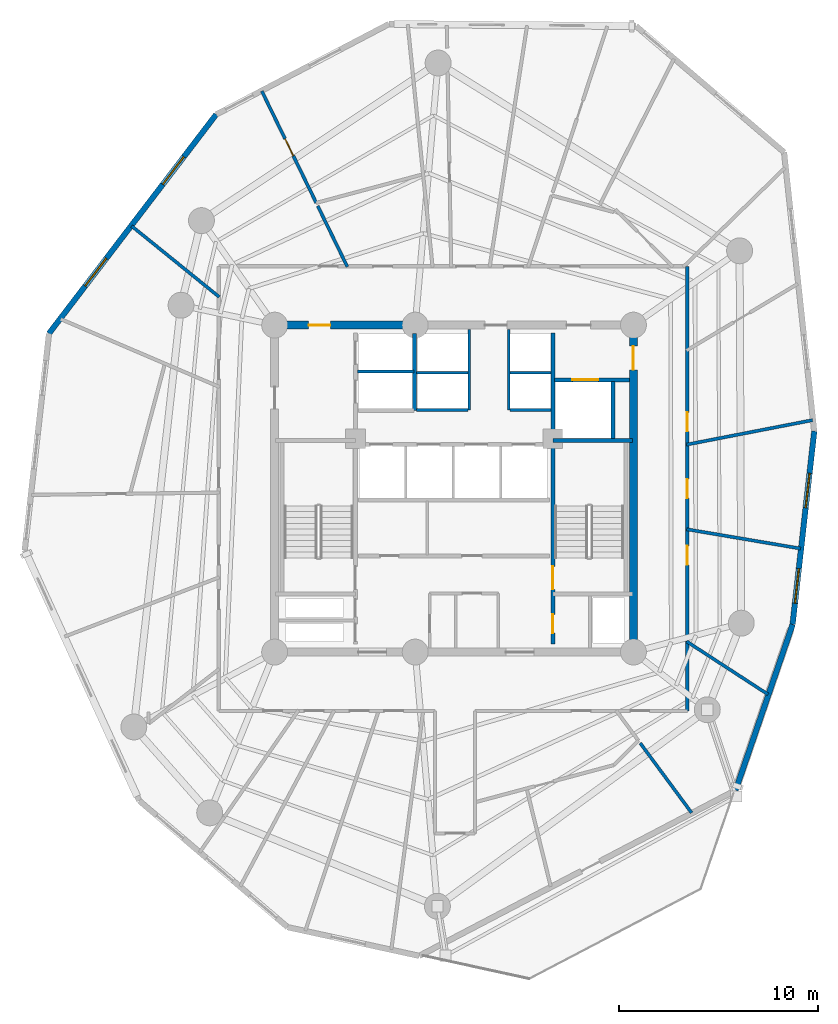
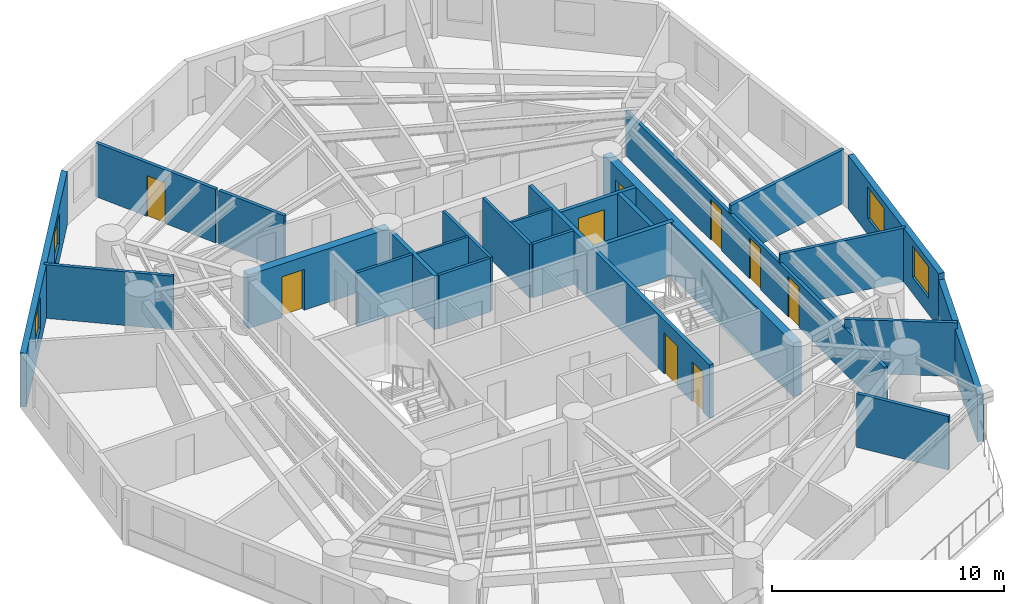
# One storey, part 5 of 10: 25 walls, 9 doors, 4 windows, 13 openings.
"""IFC4 building model written with IfcOpenShell, lengths in metres."""

from ifc_helpers import new_model, si_unit, direction, frame, frame_2d, origin, origin_with_axes, place, context, subcontext, project, spatial, rectangle, extrude, source, transform, mapped, material, layer, layer_set, type_object, element, fill, save


model = new_model("IFC4")

# Units and contexts
model_context = context("Model", 3, precision=1e-05, world=origin(), true_north=direction((0.0, 1.0)))
body_context = subcontext(model_context, "Body", "Model", "MODEL_VIEW")
ifc_project = project(units=[si_unit("LENGTHUNIT", "METRE"), si_unit("AREAUNIT", "SQUARE_METRE"), si_unit("VOLUMEUNIT", "CUBIC_METRE"), si_unit("PLANEANGLEUNIT", "RADIAN"), si_unit("MASSUNIT", "GRAM", prefix="KILO")], contexts=[model_context])

# Site, building, storey
site_placement = place(None, origin())
site = spatial("IfcSite", under=ifc_project, at=site_placement, CompositionType="ELEMENT")
building_placement = place(site_placement, origin())
building = spatial("IfcBuilding", under=site, at=building_placement, Name="Karkom Vertical University and Central Library", CompositionType="ELEMENT")
storey_placement = place(building_placement, frame((0.0, 0.0, 171.800048828125)))
storey = spatial("IfcBuildingStorey", under=building, at=storey_placement, Name="L49", CompositionType="ELEMENT", Elevation=171.800048828125)

# Wall
ifc_material_1 = material(Name="Brick-faced precast concrete C45/55", Category="masonry")
ifc_layer_1 = layer(ifc_material_1, 0.280029296875)
ifc_layer_set_1 = layer_set([ifc_layer_1], Name="Brick-faced precast concrete C45/55")
wall_type_1 = type_object("IfcWallType", Name="ENV-WL-BRK-280", PredefinedType="SOLIDWALL", material=ifc_layer_set_1)
wall_1_placement = place(storey_placement, frame((42.625, 11.366943359375, 0.0), z_axis=(0.0, 0.0, 1.0), x_axis=(0.324982030771, 0.945720191006, 0.0)))
element("IfcWall", 1, at=wall_1_placement, inside=storey, type_object=wall_type_1, Name="Level 49 Brick-Faced Precast Facade Wall 05", PredefinedType="SOLIDWALL", context=body_context, shape_type="SweptSolid", body=[
    extrude(rectangle(XDim=8.79638671875, YDim=0.280029296875, at=frame_2d((4.398193359375, 0.0))), origin(), (0.0, 0.0, 1.0), 2.494873046875),
])

# Wall, openings, windows
wall_2_placement = place(storey_placement, frame((45.483642578125, 19.685791015625, 0.0), z_axis=(0.0, 0.0, 1.0), x_axis=(0.111472313182, 0.993767539918, 0.0)))
wall_2 = element("IfcWall", 2, at=wall_2_placement, inside=storey, type_object=wall_type_1, Name="Level 49 Brick-Faced Precast Facade Wall 06", PredefinedType="SOLIDWALL", context=body_context, shape_type="SweptSolid", body=[
    extrude(rectangle(XDim=9.757080078125, YDim=0.280029296875, at=frame_2d((4.87841796875, 0.0))), origin(), (0.0, 0.0, 1.0), 2.824951171875),
])
opening_1_placement = place(wall_2_placement, frame((1.0693359375, 0.0, 0.85009765625)))
opening_1 = element("IfcOpeningElement", 3, at=opening_1_placement, cuts=wall_2, Name="Opening WN-08", PredefinedType="OPENING", context=body_context, shape_type="SweptSolid", body=[
    extrude(rectangle(XDim=1.75, YDim=1.64990234375, at=frame_2d((0.875, 0.824951171875))), frame((0.0, 0.14990234375, 0.0), z_axis=(0.0, -1.0, 0.0), x_axis=(1.0, 0.0, 0.0)), (0.0, 0.0, 1.0), 0.300048828125),
])
opening_2_placement = place(wall_2_placement, frame((5.8876953125, 0.0, 0.85009765625)))
opening_2 = element("IfcOpeningElement", 4, at=opening_2_placement, cuts=wall_2, Name="Opening WN-08", PredefinedType="OPENING", context=body_context, shape_type="SweptSolid", body=[
    extrude(rectangle(XDim=1.75, YDim=1.64990234375, at=frame_2d((0.875, 0.824951171875))), frame((0.0, 0.14990234375, 0.0), z_axis=(0.0, -1.0, 0.0), x_axis=(1.0, 0.0, 0.0)), (0.0, 0.0, 1.0), 0.300048828125),
])
ifc_material_2 = material(Name="Aluminium thermal-break frame with solar-control IGU", Category="aluminium")
window_type = type_object("IfcWindowType", Name="ENV-WIN-WN-08", PartitioningType="SINGLE_PANEL", PredefinedType="WINDOW", material=ifc_material_2)
shared_shape_1 = source(origin_with_axes(), body_context, "Body", "SweptSolid", [
    extrude(rectangle(XDim=1.75, YDim=1.64990234375, at=frame_2d((0.875, 0.824951171875))), frame((0.0, 0.030029296875, 0.0), z_axis=(0.0, -1.0, 0.0), x_axis=(1.0, 0.0, 0.0)), (0.0, 0.0, 1.0), 0.06005859375),
])
window_1_placement = place(opening_1_placement, origin())
window_1 = element("IfcWindow", 5, at=window_1_placement, inside=storey, type_object=window_type, Name="Level 49 Punched Window 6.1", OverallHeight=1.64990234375, OverallWidth=1.75, PartitioningType="SINGLE_PANEL", PredefinedType="WINDOW", context=body_context, shape_type="MappedRepresentation", body=[
    mapped(shared_shape_1, transform((0.0, 0.0, 0.0), scale=1.0)),
])
fill(opening_1, window_1)
window_2_placement = place(opening_2_placement, origin())
window_2 = element("IfcWindow", 6, at=window_2_placement, inside=storey, type_object=window_type, Name="Level 49 Punched Window 6.2", OverallHeight=1.64990234375, OverallWidth=1.75, PartitioningType="SINGLE_PANEL", PredefinedType="WINDOW", context=body_context, shape_type="MappedRepresentation", body=[
    mapped(shared_shape_1, transform((0.0, 0.0, 0.0), scale=1.0)),
])
fill(opening_2, window_2)

wall_3_placement = place(storey_placement, frame((16.56640625, 45.27001953125, 0.0), z_axis=(0.0, 0.0, 1.0), x_axis=(-0.606755233028, -0.794888726296, 0.0)))
wall_3 = element("IfcWall", 7, at=wall_3_placement, inside=storey, type_object=wall_type_1, Name="Level 49 Brick-Faced Precast Facade Wall 11", PredefinedType="SOLIDWALL", context=body_context, shape_type="SweptSolid", body=[
    extrude(rectangle(XDim=13.828369140625, YDim=0.280029296875, at=frame_2d((6.9140625, 0.0))), origin(), (0.0, 0.0, 1.0), 2.824951171875),
])
opening_3_placement = place(wall_3_placement, frame((2.66748046875, 0.0, 0.85009765625)))
opening_3 = element("IfcOpeningElement", 8, at=opening_3_placement, cuts=wall_3, Name="Opening WN-08", PredefinedType="OPENING", context=body_context, shape_type="SweptSolid", body=[
    extrude(rectangle(XDim=1.75, YDim=1.64990234375, at=frame_2d((0.875, 0.824951171875))), frame((0.0, 0.14990234375, 0.0), z_axis=(0.0, -1.0, 0.0), x_axis=(1.0, 0.0, 0.0)), (0.0, 0.0, 1.0), 0.300048828125),
])
opening_4_placement = place(wall_3_placement, frame((9.080322265625, 0.0, 0.85009765625)))
opening_4 = element("IfcOpeningElement", 9, at=opening_4_placement, cuts=wall_3, Name="Opening WN-08", PredefinedType="OPENING", context=body_context, shape_type="SweptSolid", body=[
    extrude(rectangle(XDim=1.75, YDim=1.64990234375, at=frame_2d((0.875, 0.824951171875))), frame((0.0, 0.14990234375, 0.0), z_axis=(0.0, -1.0, 0.0), x_axis=(1.0, 0.0, 0.0)), (0.0, 0.0, 1.0), 0.300048828125),
])
window_3_placement = place(opening_3_placement, origin())
window_3 = element("IfcWindow", 10, at=window_3_placement, inside=storey, type_object=window_type, Name="Level 49 Punched Window 11.1", OverallHeight=1.64990234375, OverallWidth=1.75, PartitioningType="SINGLE_PANEL", PredefinedType="WINDOW", context=body_context, shape_type="MappedRepresentation", body=[
    mapped(shared_shape_1, transform((0.0, 0.0, 0.0), scale=1.0)),
])
fill(opening_3, window_3)
window_4_placement = place(opening_4_placement, origin())
window_4 = element("IfcWindow", 11, at=window_4_placement, inside=storey, type_object=window_type, Name="Level 49 Punched Window 11.2", OverallHeight=1.64990234375, OverallWidth=1.75, PartitioningType="SINGLE_PANEL", PredefinedType="WINDOW", context=body_context, shape_type="MappedRepresentation", body=[
    mapped(shared_shape_1, transform((0.0, 0.0, 0.0), scale=1.0)),
])
fill(opening_4, window_4)

# Wall, openings, doors
ifc_material_3 = material(Name="Insulated metal-stud drywall 160mm", Category="gypsum")
ifc_layer_2 = layer(ifc_material_3, 0.159912109375)
ifc_layer_set_2 = layer_set([ifc_layer_2], Name="Insulated metal-stud drywall 160mm")
wall_type_2 = type_object("IfcWallType", Name="INT-WL-COR-160", PredefinedType="PARTITIONING", material=ifc_layer_set_2)
wall_4_placement = place(storey_placement, frame((40.199951171875, 37.64990234375, 0.0), z_axis=(0.0, 0.0, 1.0), x_axis=(0.0, -1.0, 0.0)))
wall_4 = element("IfcWall", 12, at=wall_4_placement, inside=storey, type_object=wall_type_2, Name="Level 49 Interior Partition Wall L49-CORW-CW-004", PredefinedType="PARTITIONING", context=body_context, shape_type="SweptSolid", body=[
    extrude(rectangle(XDim=22.2998046875, YDim=0.159912109375, at=frame_2d((11.14990234375, 0.0))), origin(), (0.0, 0.0, 1.0), 2.375),
])
opening_5_placement = place(wall_4_placement, frame((14.02001953125, 0.0, 0.0)))
opening_5 = element("IfcOpeningElement", 13, at=opening_5_placement, cuts=wall_4, Name="Opening D-RM1", PredefinedType="OPENING", context=body_context, shape_type="SweptSolid", body=[
    extrude(rectangle(XDim=0.949951171875, YDim=2.14990234375, at=frame_2d((0.47509765625, 1.074951171875))), frame((0.0, 0.08984375, 0.0), z_axis=(0.0, -1.0, 0.0), x_axis=(1.0, 0.0, 0.0)), (0.0, 0.0, 1.0), 0.179931640625),
])
opening_6_placement = place(wall_4_placement, frame((10.675048828125, 0.0, 0.0)))
opening_6 = element("IfcOpeningElement", 14, at=opening_6_placement, cuts=wall_4, Name="Opening D-RM1", PredefinedType="OPENING", context=body_context, shape_type="SweptSolid", body=[
    extrude(rectangle(XDim=0.949951171875, YDim=2.14990234375, at=frame_2d((0.47509765625, 1.074951171875))), frame((0.0, 0.08984375, 0.0), z_axis=(0.0, -1.0, 0.0), x_axis=(1.0, 0.0, 0.0)), (0.0, 0.0, 1.0), 0.179931640625),
])
opening_7_placement = place(wall_4_placement, frame((7.330078125, 0.0, 0.0)))
opening_7 = element("IfcOpeningElement", 15, at=opening_7_placement, cuts=wall_4, Name="Opening D-RM1", PredefinedType="OPENING", context=body_context, shape_type="SweptSolid", body=[
    extrude(rectangle(XDim=0.949951171875, YDim=2.14990234375, at=frame_2d((0.47509765625, 1.074951171875))), frame((0.0, 0.08984375, 0.0), z_axis=(0.0, -1.0, 0.0), x_axis=(1.0, 0.0, 0.0)), (0.0, 0.0, 1.0), 0.179931640625),
])
ifc_material_4 = material(Name="Solid-core oak veneer door", Category="wood")
door_type_1 = type_object("IfcDoorType", Name="INT-DR-RM1", OperationType="NOTDEFINED", PredefinedType="DOOR", material=ifc_material_4)
shared_shape_2 = source(origin_with_axes(), body_context, "Body", "SweptSolid", [
    extrude(rectangle(XDim=0.949951171875, YDim=2.14990234375, at=frame_2d((0.47509765625, 1.074951171875))), frame((0.0, 0.02490234375, 0.0), z_axis=(0.0, -1.0, 0.0), x_axis=(1.0, 0.0, 0.0)), (0.0, 0.0, 1.0), 0.050048828125),
])
door_1_placement = place(opening_5_placement, origin())
door_1 = element("IfcDoor", 16, at=door_1_placement, inside=storey, type_object=door_type_1, Name="Level 49 Room Entry Door 100", OperationType="SINGLE_SWING_LEFT", OverallHeight=2.14990234375, OverallWidth=0.949951171875, PredefinedType="DOOR", context=body_context, shape_type="MappedRepresentation", body=[
    mapped(shared_shape_2, transform((0.0, 0.0, 0.0), scale=1.0)),
])
fill(opening_5, door_1)
door_2_placement = place(opening_6_placement, origin())
door_2 = element("IfcDoor", 17, at=door_2_placement, inside=storey, type_object=door_type_1, Name="Level 49 Room Entry Door 110", OperationType="SINGLE_SWING_RIGHT", OverallHeight=2.14990234375, OverallWidth=0.949951171875, PredefinedType="DOOR", context=body_context, shape_type="MappedRepresentation", body=[
    mapped(shared_shape_2, transform((0.0, 0.0, 0.0), scale=1.0)),
])
fill(opening_6, door_2)
door_3_placement = place(opening_7_placement, origin())
door_3 = element("IfcDoor", 18, at=door_3_placement, inside=storey, type_object=door_type_1, Name="Level 49 Room Entry Door 120", OperationType="SINGLE_SWING_LEFT", OverallHeight=2.14990234375, OverallWidth=0.949951171875, PredefinedType="DOOR", context=body_context, shape_type="MappedRepresentation", body=[
    mapped(shared_shape_2, transform((0.0, 0.0, 0.0), scale=1.0)),
])
fill(opening_7, door_3)

# Wall
wall_5_placement = place(storey_placement, frame((40.156005859375, 28.70458984375, 0.0), z_axis=(0.0, 0.0, 1.0), x_axis=(0.981627800611, 0.19080582032, 0.0)))
element("IfcWall", 19, at=wall_5_placement, inside=storey, type_object=wall_type_2, Name="Level 49 Interior Partition Wall L49-PW-018", PredefinedType="PARTITIONING", context=body_context, shape_type="SweptSolid", body=[
    extrude(rectangle(XDim=6.44873046875, YDim=0.159912109375, at=frame_2d((3.224365234375, 0.0))), origin(), (0.0, 0.0, 1.0), 2.824951171875),
])

# Wall, opening, door
wall_6_placement = place(storey_placement, frame((21.587890625, 40.830810546875, 0.0), z_axis=(0.0, 0.0, 1.0), x_axis=(-0.437814557063, 0.899065299978, 0.0)))
wall_6 = element("IfcWall", 20, at=wall_6_placement, inside=storey, type_object=wall_type_2, Name="Level 49 Interior Partition Wall L49-PW-033", PredefinedType="PARTITIONING", context=body_context, shape_type="SweptSolid", body=[
    extrude(rectangle(XDim=6.239990234375, YDim=0.159912109375, at=frame_2d((3.1201171875, 0.0))), origin(), (0.0, 0.0, 1.0), 2.824951171875),
])
opening_8_placement = place(wall_6_placement, frame((2.62744140625, 0.0, 0.0)))
opening_8 = element("IfcOpeningElement", 21, at=opening_8_placement, cuts=wall_6, Name="Opening D-RM1", PredefinedType="OPENING", context=body_context, shape_type="SweptSolid", body=[
    extrude(rectangle(XDim=0.949951171875, YDim=2.14990234375, at=frame_2d((0.47509765625, 1.074951171875))), frame((0.0, 0.08984375, 0.0), z_axis=(0.0, -1.0, 0.0), x_axis=(1.0, 0.0, 0.0)), (0.0, 0.0, 1.0), 0.179931640625),
])
door_4_placement = place(opening_8_placement, origin())
door_4 = element("IfcDoor", 22, at=door_4_placement, inside=storey, type_object=door_type_1, Name="Level 49 Room Entry Door 200", OperationType="SINGLE_SWING_RIGHT", OverallHeight=2.14990234375, OverallWidth=0.949951171875, PredefinedType="DOOR", context=body_context, shape_type="MappedRepresentation", body=[
    mapped(shared_shape_2, transform((0.0, 0.0, 0.0), scale=1.0)),
])
fill(opening_8, door_4)

# Walls
wall_7_placement = place(storey_placement, frame((40.17041015625, 24.46044921875, 0.0), z_axis=(0.0, 0.0, 1.0), x_axis=(0.985927852307, -0.167171379264, 0.0)))
element("IfcWall", 23, at=wall_7_placement, inside=storey, type_object=wall_type_2, Name="Level 49 Interior Partition Wall L49-PW-017", PredefinedType="PARTITIONING", context=body_context, shape_type="SweptSolid", body=[
    extrude(rectangle(XDim=5.79638671875, YDim=0.159912109375, at=frame_2d((2.898193359375, 0.0))), origin(), (0.0, 0.0, 1.0), 2.824951171875),
])
wall_8_placement = place(storey_placement, frame((16.723388671875, 36.110595703125, 0.0), z_axis=(0.0, 0.0, 1.0), x_axis=(-0.777265966674, 0.629172168051, 0.0)))
element("IfcWall", 24, at=wall_8_placement, inside=storey, type_object=wall_type_2, Name="Level 49 Interior Partition Wall L49-PW-035", PredefinedType="PARTITIONING", context=body_context, shape_type="SweptSolid", body=[
    extrude(rectangle(XDim=5.659423828125, YDim=0.159912109375, at=frame_2d((2.82958984375, 0.0))), origin(), (0.0, 0.0, 1.0), 2.824951171875),
])
wall_9_placement = place(storey_placement, frame((40.162353515625, 18.836181640625, 0.0), z_axis=(0.0, 0.0, 1.0), x_axis=(0.838039609879, -0.545609395332, 0.0)))
element("IfcWall", 25, at=wall_9_placement, inside=storey, type_object=wall_type_2, Name="Level 49 Interior Partition Wall L49-PW-016", PredefinedType="PARTITIONING", context=body_context, shape_type="SweptSolid", body=[
    extrude(rectangle(XDim=4.87646484375, YDim=0.159912109375, at=frame_2d((2.438232421875, 0.0))), origin(), (0.0, 0.0, 1.0), 2.824951171875),
])
wall_10_placement = place(storey_placement, frame((37.838623046875, 13.732421875, 0.0), z_axis=(0.0, 0.0, 1.0), x_axis=(0.593392782783, -0.804913042099, 0.0)))
element("IfcWall", 26, at=wall_10_placement, inside=storey, type_object=wall_type_2, Name="Level 49 Interior Partition Wall L49-PW-015", PredefinedType="PARTITIONING", context=body_context, shape_type="SweptSolid", body=[
    extrude(rectangle(XDim=4.341064453125, YDim=0.159912109375, at=frame_2d((2.17041015625, 0.0))), origin(), (0.0, 0.0, 1.0), 2.824951171875),
])
wall_11_placement = place(storey_placement, frame((23.150146484375, 37.623046875, 0.0), z_axis=(0.0, 0.0, 1.0), x_axis=(-0.437810430728, 0.899067309352, 0.0)))
element("IfcWall", 27, at=wall_11_placement, inside=storey, type_object=wall_type_2, Name="Level 49 Interior Partition Wall L49-PW-034", PredefinedType="PARTITIONING", context=body_context, shape_type="SweptSolid", body=[
    extrude(rectangle(XDim=3.405029296875, YDim=0.159912109375, at=frame_2d((1.70263671875, 0.0))), origin(), (0.0, 0.0, 1.0), 2.824951171875),
])
ifc_material_5 = material(Name="Moisture-resistant drywall 120mm", Category="gypsum")
ifc_layer_3 = layer(ifc_material_5, 0.1201171875)
ifc_layer_set_3 = layer_set([ifc_layer_3], Name="Moisture-resistant drywall 120mm")
wall_type_3 = type_object("IfcWallType", Name="INT-WL-INT-120H", PredefinedType="PARTITIONING", material=ifc_layer_set_3)
wall_12_placement = place(storey_placement, frame((26.6201171875, 32.320068359375, 0.0), z_axis=(0.0, 0.0, 1.0), x_axis=(1.0, 0.0, 0.0)))
element("IfcWall", 28, at=wall_12_placement, inside=storey, type_object=wall_type_3, Name="Level 49 Interior Partition Wall L49-CW-PH-MW", PredefinedType="PARTITIONING", context=body_context, shape_type="SweptSolid", body=[
    extrude(rectangle(XDim=2.579833984375, YDim=0.1201171875, at=frame_2d((1.2900390625, 0.0))), origin(), (0.0, 0.0, 1.0), 2.824951171875),
])
wall_13_placement = place(storey_placement, frame((31.300048828125, 32.320068359375, 0.0), z_axis=(0.0, 0.0, 1.0), x_axis=(1.0, 0.0, 0.0)))
element("IfcWall", 29, at=wall_13_placement, inside=storey, type_object=wall_type_3, Name="Level 49 Interior Partition Wall L49-CW-PH-ME", PredefinedType="PARTITIONING", context=body_context, shape_type="SweptSolid", body=[
    extrude(rectangle(XDim=2.074951171875, YDim=0.1201171875, at=frame_2d((1.03759765625, 0.0))), origin(), (0.0, 0.0, 1.0), 2.824951171875),
])
ifc_material_6 = material(Name="Metal-stud gypsum partition 140mm", Category="gypsum")
ifc_layer_4 = layer(ifc_material_6, 0.139892578125)
ifc_layer_set_4 = layer_set([ifc_layer_4], Name="Metal-stud gypsum partition 140mm")
wall_type_4 = type_object("IfcWallType", Name="INT-WL-SUB-140H", PredefinedType="PARTITIONING", material=ifc_layer_set_4)
for number, where, z_axis, x_axis, name in (
    (30, (29.260009765625, 30.449951171875, 0.0), (0.0, 0.0, 1.0), (0.0, 1.0, 0.0), "Level 49 Interior Partition Wall L49-CW-PH-W"),
    (31, (31.239990234375, 30.449951171875, 0.0), (0.0, 0.0, 1.0), (0.0, 1.0, 0.0), "Level 49 Interior Partition Wall L49-CW-PH-E"),
):
    element("IfcWall", number, at=place(storey_placement, frame(where, z_axis=z_axis, x_axis=x_axis)), inside=storey, type_object=wall_type_4, Name=name, PredefinedType="PARTITIONING", context=body_context, shape_type="SweptSolid", body=[
        extrude(rectangle(XDim=4.04296875, YDim=0.139892578125, at=frame_2d((2.021484375, 0.0))), origin(), (0.0, 0.0, 1.0), 2.824951171875),
    ])
wall_14_placement = place(storey_placement, frame((26.6201171875, 30.449951171875, 0.0), z_axis=(0.0, 0.0, 1.0), x_axis=(1.0, 0.0, 0.0)))
element("IfcWall", 32, at=wall_14_placement, inside=storey, type_object=wall_type_4, Name="Level 49 Interior Partition Wall L49-CW-PH-S1", PredefinedType="PARTITIONING", context=body_context, shape_type="SweptSolid", body=[
    extrude(rectangle(XDim=2.579833984375, YDim=0.139892578125, at=frame_2d((1.2900390625, 0.0))), origin(), (0.0, 0.0, 1.0), 2.824951171875),
])
wall_15_placement = place(storey_placement, frame((31.300048828125, 30.449951171875, 0.0), z_axis=(0.0, 0.0, 1.0), x_axis=(1.0, 0.0, 0.0)))
element("IfcWall", 33, at=wall_15_placement, inside=storey, type_object=wall_type_4, Name="Level 49 Interior Partition Wall L49-CW-PH-S2", PredefinedType="PARTITIONING", context=body_context, shape_type="SweptSolid", body=[
    extrude(rectangle(XDim=2.074951171875, YDim=0.139892578125, at=frame_2d((1.03759765625, 0.0))), origin(), (0.0, 0.0, 1.0), 2.824951171875),
])
ifc_layer_5 = layer(ifc_material_6, 0.139892578125)
ifc_layer_set_5 = layer_set([ifc_layer_5], Name="Metal-stud gypsum partition 140mm")
wall_type_5 = type_object("IfcWallType", Name="INT-WL-SUB-140X", PredefinedType="PARTITIONING", material=ifc_layer_set_5)
wall_16_placement = place(storey_placement, frame((23.652099609375, 32.3701171875, 0.0), z_axis=(0.0, 0.0, 1.0), x_axis=(1.0, 0.0, 0.0)))
element("IfcWall", 34, at=wall_16_placement, inside=storey, type_object=wall_type_5, Name="Level 49 Interior Partition Wall L49-CW-FFL-M", PredefinedType="PARTITIONING", context=body_context, shape_type="SweptSolid", body=[
    extrude(rectangle(XDim=2.827880859375, YDim=0.139892578125, at=frame_2d((1.4140625, 0.0))), origin(), (0.0, 0.0, 1.0), 2.824951171875),
])

# Wall, opening, door
ifc_material_7 = material(Name="Twin-stud acoustic drywall 180mm", Category="gypsum")
ifc_layer_6 = layer(ifc_material_7, 0.179931640625)
ifc_layer_set_6 = layer_set([ifc_layer_6], Name="Twin-stud acoustic drywall 180mm")
wall_type_6 = type_object("IfcWallType", Name="INT-WL-TEN-180F", PredefinedType="PARTITIONING", material=ifc_layer_set_6)
wall_17_placement = place(storey_placement, frame((33.534912109375, 31.949951171875, 0.0), z_axis=(0.0, 0.0, 1.0), x_axis=(1.0, 0.0, 0.0)))
wall_17 = element("IfcWall", 35, at=wall_17_placement, inside=storey, type_object=wall_type_6, Name="Level 49 Interior Partition Wall L49-CW-SVL-N", PredefinedType="PARTITIONING", context=body_context, shape_type="SweptSolid", body=[
    extrude(rectangle(XDim=3.7587890625, YDim=0.179931640625, at=frame_2d((1.87939453125, 0.0))), origin(), (0.0, 0.0, 1.0), 2.824951171875),
])
opening_9_placement = place(wall_17_placement, frame((0.89990234375, 0.0, 0.0)))
opening_9 = element("IfcOpeningElement", 36, at=opening_9_placement, cuts=wall_17, Name="Opening LD-SV1", PredefinedType="OPENING", context=body_context, shape_type="SweptSolid", body=[
    extrude(rectangle(XDim=1.300048828125, YDim=2.199951171875, at=frame_2d((0.64990234375, 1.10009765625))), frame((0.0, 0.10009765625, 0.0), z_axis=(0.0, -1.0, 0.0), x_axis=(1.0, 0.0, 0.0)), (0.0, 0.0, 1.0), 0.199951171875),
])
ifc_material_8 = material(Name="Brushed stainless-steel landing door", Category="steel")
door_type_2 = type_object("IfcDoorType", Name="INT-DR-LD-SV1", OperationType="SLIDING_TO_LEFT", PredefinedType="DOOR", material=ifc_material_8)
shared_shape_3 = source(origin_with_axes(), body_context, "Body", "SweptSolid", [
    extrude(rectangle(XDim=1.300048828125, YDim=2.199951171875, at=frame_2d((0.64990234375, 1.10009765625))), frame((0.0, 0.02490234375, 0.0), z_axis=(0.0, -1.0, 0.0), x_axis=(1.0, 0.0, 0.0)), (0.0, 0.0, 1.0), 0.050048828125),
])
door_5_placement = place(opening_9_placement, origin())
door_5 = element("IfcDoor", 37, at=door_5_placement, inside=storey, type_object=door_type_2, Name="Level 49 Service Lift Landing Door LD-SV1", OperationType="SLIDING_TO_LEFT", OverallHeight=2.199951171875, OverallWidth=1.300048828125, PredefinedType="DOOR", context=body_context, shape_type="MappedRepresentation", body=[
    mapped(shared_shape_3, transform((0.0, 0.0, 0.0), scale=1.0)),
])
fill(opening_9, door_5)

ifc_material_9 = material(Name="Concrete C50/60", Category="concrete")
ifc_layer_7 = layer(ifc_material_9, 0.39990234375)
ifc_layer_set_7 = layer_set([ifc_layer_7], Name="Concrete C50/60")
wall_type_7 = type_object("IfcWallType", Name="STR-WL-CW-400", PredefinedType="SHEAR", material=ifc_layer_set_7)
wall_18_placement = place(storey_placement, frame((37.5, 18.300048828125, 0.0), z_axis=(0.0, 0.0, 1.0), x_axis=(0.0, 1.0, 0.0)))
wall_18 = element("IfcWall", 38, at=wall_18_placement, inside=storey, type_object=wall_type_7, Name="Level 49 Central Core Shear Wall EW", PredefinedType="SHEAR", context=body_context, shape_type="SweptSolid", body=[
    extrude(rectangle(XDim=16.39990234375, YDim=0.39990234375, at=frame_2d((8.199951171875, 0.0))), origin(), (0.0, 0.0, 1.0), 2.824951171875),
])
opening_10_placement = place(wall_18_placement, frame((14.14990234375, 0.0, 0.0)))
opening_10 = element("IfcOpeningElement", 39, at=opening_10_placement, cuts=wall_18, Name="Opening FD-SUB1", PredefinedType="OPENING", context=body_context, shape_type="SweptSolid", body=[
    extrude(rectangle(XDim=1.199951171875, YDim=2.14990234375, at=frame_2d((0.60009765625, 1.074951171875))), frame((0.0, 0.2099609375, 0.0), z_axis=(0.0, -1.0, 0.0), x_axis=(1.0, 0.0, 0.0)), (0.0, 0.0, 1.0), 0.419921875),
])
ifc_material_10 = material(Name="Painted steel fire door", Category="steel")
door_type_3 = type_object("IfcDoorType", Name="INT-DR-SUB1", OperationType="NOTDEFINED", PredefinedType="DOOR", material=ifc_material_10)
shared_shape_4 = source(origin_with_axes(), body_context, "Body", "SweptSolid", [
    extrude(rectangle(XDim=1.199951171875, YDim=2.14990234375, at=frame_2d((0.60009765625, 1.074951171875))), frame((0.0, 0.02490234375, 0.0), z_axis=(0.0, -1.0, 0.0), x_axis=(1.0, 0.0, 0.0)), (0.0, 0.0, 1.0), 0.050048828125),
])
door_6_placement = place(opening_10_placement, origin())
door_6 = element("IfcDoor", 40, at=door_6_placement, inside=storey, type_object=door_type_3, Name="Level 49 East Corridor Service Lobby Door", OperationType="SINGLE_SWING_RIGHT", OverallHeight=2.14990234375, OverallWidth=1.199951171875, PredefinedType="DOOR", context=body_context, shape_type="MappedRepresentation", body=[
    mapped(shared_shape_4, transform((0.0, 0.0, 0.0), scale=1.0)),
])
fill(opening_10, door_6)

wall_19_placement = place(storey_placement, frame((26.550048828125, 34.699951171875, 0.0), z_axis=(0.0, 0.0, 1.0), x_axis=(-1.0, 0.0, 0.0)))
wall_19 = element("IfcWall", 41, at=wall_19_placement, inside=storey, type_object=wall_type_7, Name="Level 49 Central Core Shear Wall NW2", PredefinedType="SHEAR", context=body_context, shape_type="SweptSolid", body=[
    extrude(rectangle(XDim=7.050048828125, YDim=0.39990234375, at=frame_2d((3.52490234375, 0.0))), origin(), (0.0, 0.0, 1.0), 2.824951171875),
])
opening_11_placement = place(wall_19_placement, frame((4.25, 0.0, 0.0)))
opening_11 = element("IfcOpeningElement", 42, at=opening_11_placement, cuts=wall_19, Name="Opening FD-FFL", PredefinedType="OPENING", context=body_context, shape_type="SweptSolid", body=[
    extrude(rectangle(XDim=1.10009765625, YDim=2.14990234375, at=frame_2d((0.550048828125, 1.074951171875))), frame((0.0, 0.2099609375, 0.0), z_axis=(0.0, -1.0, 0.0), x_axis=(1.0, 0.0, 0.0)), (0.0, 0.0, 1.0), 0.419921875),
])
ifc_material_11 = material(Name="Painted steel smoke-seal fire door", Category="steel")
door_type_4 = type_object("IfcDoorType", Name="INT-DR-FFL", OperationType="NOTDEFINED", PredefinedType="DOOR", material=ifc_material_11)
shared_shape_5 = source(origin_with_axes(), body_context, "Body", "SweptSolid", [
    extrude(rectangle(XDim=1.10009765625, YDim=2.14990234375, at=frame_2d((0.550048828125, 1.074951171875))), frame((0.0, 0.02490234375, 0.0), z_axis=(0.0, -1.0, 0.0), x_axis=(1.0, 0.0, 0.0)), (0.0, 0.0, 1.0), 0.050048828125),
])
door_7_placement = place(opening_11_placement, origin())
door_7 = element("IfcDoor", 43, at=door_7_placement, inside=storey, type_object=door_type_4, Name="Level 49 Firefighting Lobby Door", OperationType="SINGLE_SWING_RIGHT", OverallHeight=2.14990234375, OverallWidth=1.10009765625, PredefinedType="DOOR", context=body_context, shape_type="MappedRepresentation", body=[
    mapped(shared_shape_5, transform((0.0, 0.0, 0.0), scale=1.0)),
])
fill(opening_11, door_7)

# Wall, openings, doors
ifc_material_12 = material(Name="Concrete C45/55", Category="concrete")
ifc_layer_8 = layer(ifc_material_12, 0.199951171875)
ifc_layer_set_8 = layer_set([ifc_layer_8], Name="Concrete C45/55")
wall_type_8 = type_object("IfcWallType", Name="STR-WL-ST-200", PredefinedType="SHEAR", material=ifc_layer_set_8)
wall_20_placement = place(storey_placement, frame((33.455078125, 18.699951171875, 0.0), z_axis=(0.0, 0.0, 1.0), x_axis=(0.0, 1.0, 0.0)))
wall_20 = element("IfcWall", 44, at=wall_20_placement, inside=storey, type_object=wall_type_8, Name="Level 49 Core Shaft Wall L49-CW-ST2-W", PredefinedType="SHEAR", context=body_context, shape_type="SweptSolid", body=[
    extrude(rectangle(XDim=15.60009765625, YDim=0.199951171875, at=frame_2d((7.800048828125, 0.0))), origin(), (0.0, 0.0, 1.0), 2.824951171875),
])
opening_12_placement = place(wall_20_placement, frame((2.75, 0.0, 0.0)))
opening_12 = element("IfcOpeningElement", 45, at=opening_12_placement, cuts=wall_20, Name="Opening FD-ST1", PredefinedType="OPENING", context=body_context, shape_type="SweptSolid", body=[
    extrude(rectangle(XDim=1.14990234375, YDim=2.14990234375, at=frame_2d((0.574951171875, 1.074951171875))), frame((0.0, 0.10986328125, 0.0), z_axis=(0.0, -1.0, 0.0), x_axis=(1.0, 0.0, 0.0)), (0.0, 0.0, 1.0), 0.219970703125),
])
opening_13_placement = place(wall_20_placement, frame((0.550048828125, 0.0, 0.0)))
opening_13 = element("IfcOpeningElement", 46, at=opening_13_placement, cuts=wall_20, Name="Opening D-WC1", PredefinedType="OPENING", context=body_context, shape_type="SweptSolid", body=[
    extrude(rectangle(XDim=0.93994140625, YDim=2.10009765625, at=frame_2d((0.469970703125, 1.050048828125))), frame((0.0, 0.10986328125, 0.0), z_axis=(0.0, -1.0, 0.0), x_axis=(1.0, 0.0, 0.0)), (0.0, 0.0, 1.0), 0.219970703125),
])
ifc_material_13 = material(Name="Painted steel acoustic fire door", Category="steel")
door_type_5 = type_object("IfcDoorType", Name="INT-DR-ST1", OperationType="NOTDEFINED", PredefinedType="DOOR", material=ifc_material_13)
shared_shape_6 = source(origin_with_axes(), body_context, "Body", "SweptSolid", [
    extrude(rectangle(XDim=1.14990234375, YDim=2.14990234375, at=frame_2d((0.574951171875, 1.074951171875))), frame((0.0, 0.02490234375, 0.0), z_axis=(0.0, -1.0, 0.0), x_axis=(1.0, 0.0, 0.0)), (0.0, 0.0, 1.0), 0.050048828125),
])
door_8_placement = place(opening_12_placement, origin())
door_8 = element("IfcDoor", 47, at=door_8_placement, inside=storey, type_object=door_type_5, Name="Level 49 Stair ST-2 Fire Door", OperationType="SINGLE_SWING_LEFT", OverallHeight=2.14990234375, OverallWidth=1.14990234375, PredefinedType="DOOR", context=body_context, shape_type="MappedRepresentation", body=[
    mapped(shared_shape_6, transform((0.0, 0.0, 0.0), scale=1.0)),
])
fill(opening_12, door_8)
ifc_material_14 = material(Name="Fire-rated laminate moisture-resistant door", Category="wood")
door_type_6 = type_object("IfcDoorType", Name="INT-DR-WC1", OperationType="NOTDEFINED", PredefinedType="DOOR", material=ifc_material_14)
shared_shape_7 = source(origin_with_axes(), body_context, "Body", "SweptSolid", [
    extrude(rectangle(XDim=0.93994140625, YDim=2.10009765625, at=frame_2d((0.469970703125, 1.050048828125))), frame((0.0, 0.02490234375, 0.0), z_axis=(0.0, -1.0, 0.0), x_axis=(1.0, 0.0, 0.0)), (0.0, 0.0, 1.0), 0.050048828125),
])
door_9_placement = place(opening_13_placement, origin())
door_9 = element("IfcDoor", 48, at=door_9_placement, inside=storey, type_object=door_type_6, Name="Level 49 Accessible WC Door", OperationType="SINGLE_SWING_RIGHT", OverallHeight=2.10009765625, OverallWidth=0.93994140625, PredefinedType="DOOR", context=body_context, shape_type="MappedRepresentation", body=[
    mapped(shared_shape_7, transform((0.0, 0.0, 0.0), scale=1.0)),
])
fill(opening_13, door_9)

# Walls
wall_21_placement = place(storey_placement, frame((33.455078125, 28.925048828125, 0.0), z_axis=(0.0, 0.0, 1.0), x_axis=(1.0, 0.0, 0.0)))
element("IfcWall", 49, at=wall_21_placement, inside=storey, type_object=wall_type_8, Name="Level 49 Core Shaft Wall L49-CW-ST2-N", PredefinedType="SHEAR", context=body_context, shape_type="SweptSolid", body=[
    extrude(rectangle(XDim=3.994873046875, YDim=0.199951171875, at=frame_2d((1.99755859375, 0.0))), origin(), (0.0, 0.0, 1.0), 2.824951171875),
])
wall_22_placement = place(storey_placement, frame((26.52001953125, 30.419921875, 0.0), z_axis=(0.0, 0.0, 1.0), x_axis=(0.0, 1.0, 0.0)))
element("IfcWall", 50, at=wall_22_placement, inside=storey, type_object=wall_type_8, Name="Level 49 Core Shaft Wall L49-CW-FFL-E", PredefinedType="SHEAR", context=body_context, shape_type="SweptSolid", body=[
    extrude(rectangle(XDim=3.860107421875, YDim=0.199951171875, at=frame_2d((1.93017578125, 0.0))), origin(), (0.0, 0.0, 1.0), 2.824951171875),
])
wall_23_placement = place(storey_placement, frame((36.47998046875, 29.02001953125, 0.0), z_axis=(0.0, 0.0, 1.0), x_axis=(0.0, 1.0, 0.0)))
element("IfcWall", 51, at=wall_23_placement, inside=storey, type_object=wall_type_8, Name="Level 49 Core Shaft Wall L49-CW-SVL-E", PredefinedType="SHEAR", context=body_context, shape_type="SweptSolid", body=[
    extrude(rectangle(XDim=2.85986328125, YDim=0.199951171875, at=frame_2d((1.429931640625, 0.0))), origin(), (0.0, 0.0, 1.0), 2.824951171875),
])

save(model, "model.ifc")
